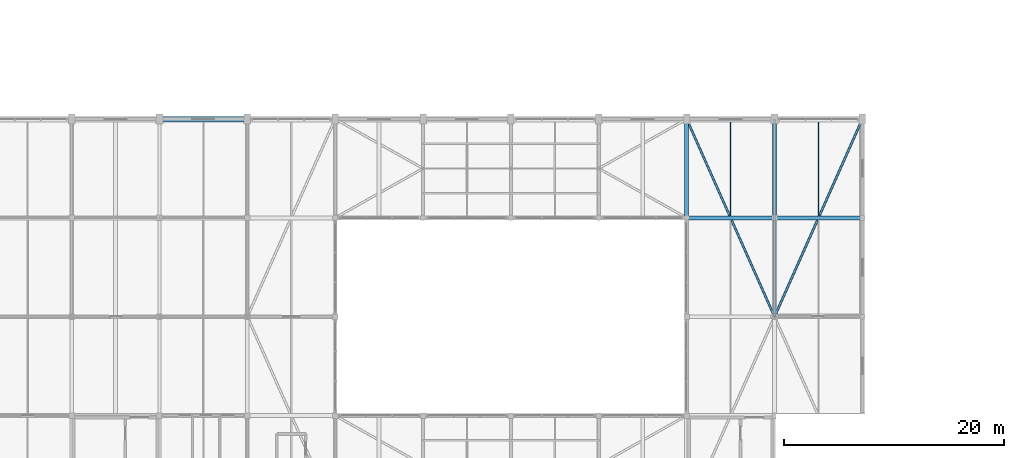
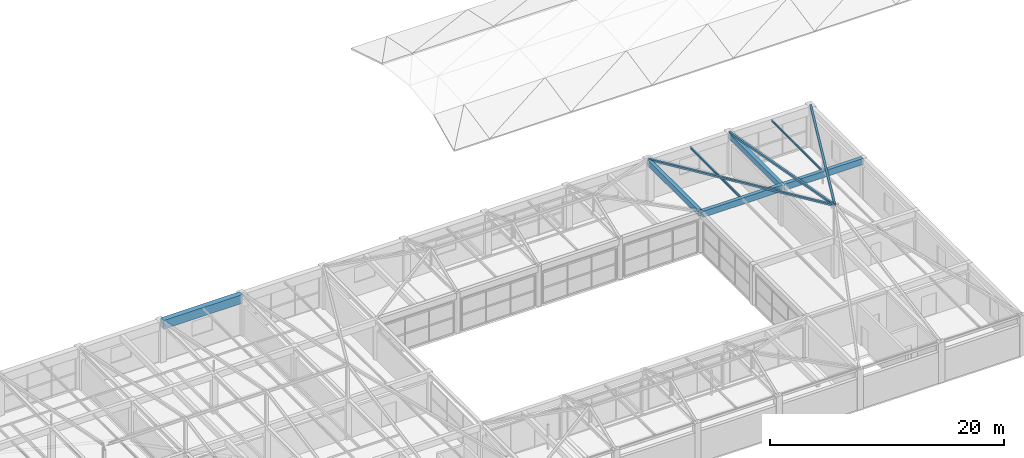
# One storey, part 43 of 65: 7 beams, 3 members.
"""IFC4 building model written with IfcOpenShell, lengths in metres."""

from ifc_helpers import new_model, si_unit, direction, frame, origin, origin_2d, place, context, subcontext, project, spatial, rectangle, hollow_rectangle, i_section, extrude, material, material_profile, profile_set, type_object, element, save


model = new_model("IFC4")

# Units and contexts
model_context = context("Model", 3, precision=1e-05, world=origin(), true_north=direction((0.0, 1.0)))
body_context = subcontext(model_context, "Body", "Model", "MODEL_VIEW")
ifc_project = project(units=[si_unit("LENGTHUNIT", "METRE"), si_unit("AREAUNIT", "SQUARE_METRE"), si_unit("VOLUMEUNIT", "CUBIC_METRE"), si_unit("PLANEANGLEUNIT", "RADIAN"), si_unit("MASSUNIT", "GRAM", prefix="KILO")], contexts=[model_context])

# Site, building, storey
site_placement = place(None, origin())
site = spatial("IfcSite", under=ifc_project, at=site_placement, CompositionType="ELEMENT")
building_placement = place(site_placement, origin())
building = spatial("IfcBuilding", under=site, at=building_placement, Name="Varnabhumi Central Station", CompositionType="ELEMENT")
storey_placement = place(building_placement, frame((0.0, 0.0, 24.60009765625)))
storey = spatial("IfcBuildingStorey", under=building, at=storey_placement, Name="L05", CompositionType="ELEMENT", Elevation=24.60009765625)

# Beams
ifc_material_1 = material(Name="Concrete M40", Category="concrete")
ifc_material_profile_1 = material_profile(ifc_material_1, rectangle(XDim=0.35009765625, YDim=0.60009765625, at=origin_2d()), Name="Concrete M40", Category="concrete")
ifc_profile_set_1 = profile_set([ifc_material_profile_1], Name="Concrete M40")
beam_type_1 = type_object("IfcBeamType", Name="BM-RC-350x600", PredefinedType="BEAM", material=ifc_profile_set_1)
for number, where, z_axis, x_axis, name in (
    (1, (144.0, 27.10009765625, 3.89990234375), (0.0, 1.0, 0.0), (-1.0, 0.0, 0.0), "Beam L05-19:D-E"),
    (2, (152.0, 27.10009765625, 3.89990234375), (0.0, 1.0, 0.0), (-1.0, 0.0, 0.0), "Beam L05-20:D-E"),
):
    element("IfcBeam", number, at=place(storey_placement, frame(where, z_axis=z_axis, x_axis=x_axis)), inside=storey, type_object=beam_type_1, Name=name, PredefinedType="BEAM", context=body_context, shape_type="SweptSolid", body=[
        extrude(rectangle(XDim=0.35009765625, YDim=0.60009765625, at=origin_2d()), origin(), (0.0, 0.0, 1.0), 8.7998046875),
    ])
ifc_material_profile_2 = material_profile(ifc_material_1, rectangle(XDim=0.35009765625, YDim=0.64990234375, at=origin_2d()), Name="Concrete M40", Category="concrete")
ifc_profile_set_2 = profile_set([ifc_material_profile_2], Name="Concrete M40")
beam_type_2 = type_object("IfcBeamType", Name="BM-RC-350x650", PredefinedType="BEAM", material=ifc_profile_set_2)
for number, where, z_axis, x_axis, name in (
    (3, (144.10009765625, 27.0, 3.875), (1.0, 0.0, 0.0), (0.0, 1.0, 0.0), "Beam L05-D:19-20"),
    (4, (152.10009765625, 27.0, 3.875), (1.0, 0.0, 0.0), (0.0, 1.0, 0.0), "Beam L05-D:20-21"),
):
    element("IfcBeam", number, at=place(storey_placement, frame(where, z_axis=z_axis, x_axis=x_axis)), inside=storey, type_object=beam_type_2, Name=name, PredefinedType="BEAM", context=body_context, shape_type="SweptSolid", body=[
        extrude(rectangle(XDim=0.35009765625, YDim=0.64990234375, at=origin_2d()), origin(), (0.0, 0.0, 1.0), 7.7998046875),
    ])
ifc_material_profile_3 = material_profile(ifc_material_1, rectangle(XDim=0.5, YDim=0.89990234375, at=origin_2d()), Name="Concrete M40", Category="concrete")
ifc_profile_set_3 = profile_set([ifc_material_profile_3], Name="Concrete M40")
beam_type_3 = type_object("IfcBeamType", Name="BM-RC-500x900", PredefinedType="BEAM", material=ifc_profile_set_3)
beam_1_placement = place(storey_placement, frame((96.10009765625, 36.0, 3.75), z_axis=(1.0, 0.0, 0.0), x_axis=(0.0, 1.0, 0.0)))
element("IfcBeam", 5, at=beam_1_placement, inside=storey, type_object=beam_type_3, Name="Beam L05-E:13-14", PredefinedType="BEAM", context=body_context, shape_type="SweptSolid", body=[
    extrude(rectangle(XDim=0.5, YDim=0.89990234375, at=origin_2d()), origin(), (0.0, 0.0, 1.0), 7.7998046875),
])
ifc_material_2 = material(Name="Structural steel E350", Category="steel")
ifc_material_profile_4 = material_profile(ifc_material_2, i_section(OverallWidth=0.10009765625, OverallDepth=0.199951171875, WebThickness=0.005615234375, FlangeThickness=0.0107421875, FilletRadius=0.010986328125, at=origin_2d()), Name="Structural steel E350", Category="steel")
ifc_profile_set_4 = profile_set([ifc_material_profile_4], Name="Structural steel E350")
beam_type_4 = type_object("IfcBeamType", Name="BM-STL-ISMB200", PredefinedType="JOIST", material=ifc_profile_set_4)
beam_2_placement = place(storey_placement, frame((156.0, 27.175048828125, 4.099853515625), z_axis=(0.0, 1.0, 0.0), x_axis=(-1.0, 0.0, 0.0)))
element("IfcBeam", 6, at=beam_2_placement, inside=storey, type_object=beam_type_4, Name="Secondary Joist L05-20/21:D-E", PredefinedType="JOIST", context=body_context, shape_type="SweptSolid", body=[
    extrude(i_section(OverallWidth=0.10009765625, OverallDepth=0.199951171875, WebThickness=0.005615234375, FlangeThickness=0.0107421875, FilletRadius=0.010986328125, at=origin_2d()), origin(), (0.0, 0.0, 1.0), 8.574951171875),
])
ifc_material_profile_5 = material_profile(ifc_material_2, i_section(OverallWidth=0.110107421875, OverallDepth=0.22509765625, WebThickness=0.006591796875, FlangeThickness=0.01171875, FilletRadius=0.011962890625, at=origin_2d()), Name="Structural steel E350", Category="steel")
ifc_profile_set_5 = profile_set([ifc_material_profile_5], Name="Structural steel E350")
beam_type_5 = type_object("IfcBeamType", Name="BM-STL-ISMB225", PredefinedType="JOIST", material=ifc_profile_set_5)
beam_3_placement = place(storey_placement, frame((148.0, 27.175048828125, 4.08740234375), z_axis=(0.0, 1.0, 0.0), x_axis=(-1.0, 0.0, 0.0)))
element("IfcBeam", 7, at=beam_3_placement, inside=storey, type_object=beam_type_5, Name="Secondary Joist L05-19/20:D-E", PredefinedType="JOIST", context=body_context, shape_type="SweptSolid", body=[
    extrude(i_section(OverallWidth=0.110107421875, OverallDepth=0.22509765625, WebThickness=0.006591796875, FlangeThickness=0.01171875, FilletRadius=0.011962890625, at=origin_2d()), origin(), (0.0, 0.0, 1.0), 8.574951171875),
])

# Members
ifc_material_profile_6 = material_profile(ifc_material_2, hollow_rectangle(XDim=0.199951171875, YDim=0.199951171875, WallThickness=0.010009765625, InnerFilletRadius=0.010009765625, OuterFilletRadius=0.02001953125, at=origin_2d()), Name="Structural steel E350", Category="steel")
ifc_profile_set_6 = profile_set([ifc_material_profile_6], Name="Structural steel E350")
member_type = type_object("IfcMemberType", Name="MBR-RAFT-SHS200", PredefinedType="RAFTER", material=ifc_profile_set_6)
for number, where, z_axis, x_axis, name in (
    (8, (144.0, 36.0, 4.10986328125), (0.400555995964, -0.90125099092, 0.165231793135), (0.91381154862, 0.406138466053, 0.0), "Mission Roof Hip Rafter SW6W-EN"),
    (9, (160.0, 36.0, 4.10986328125), (-0.400555995964, -0.90125099092, 0.165231793135), (0.91381154862, -0.406138466053, 0.0), "Mission Roof Hip Rafter SW6W-WN"),
):
    element("IfcMember", number, at=place(storey_placement, frame(where, z_axis=z_axis, x_axis=x_axis)), inside=storey, type_object=member_type, Name=name, PredefinedType="RAFTER", context=body_context, shape_type="SweptSolid", body=[
        extrude(hollow_rectangle(XDim=0.199951171875, YDim=0.199951171875, WallThickness=0.010009765625, InnerFilletRadius=0.010009765625, OuterFilletRadius=0.02001953125, at=origin_2d()), origin(), (0.0, 0.0, 1.0), 19.97216796875),
    ])
member_placement = place(storey_placement, frame((152.0, 36.0, 4.10986328125), z_axis=(0.0, -0.98360608411, 0.180330450289), x_axis=(1.0, 0.0, 0.0)))
element("IfcMember", 10, at=member_placement, inside=storey, type_object=member_type, Name="Mission Roof North Rafter SW6W-2", PredefinedType="RAFTER", context=body_context, shape_type="SweptSolid", body=[
    extrude(hollow_rectangle(XDim=0.199951171875, YDim=0.199951171875, WallThickness=0.010009765625, InnerFilletRadius=0.010009765625, OuterFilletRadius=0.02001953125, at=origin_2d()), origin(), (0.0, 0.0, 1.0), 18.300048828125),
])

save(model, "model.ifc")
